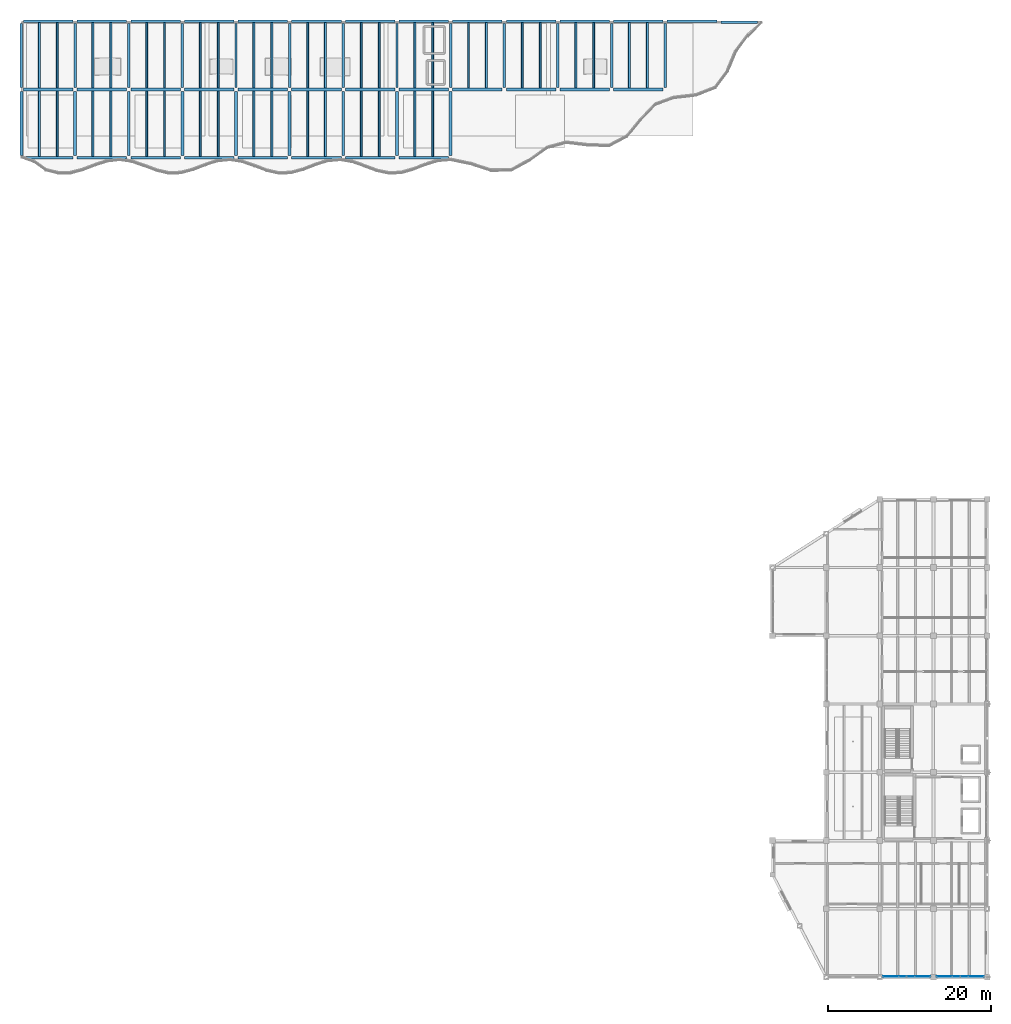
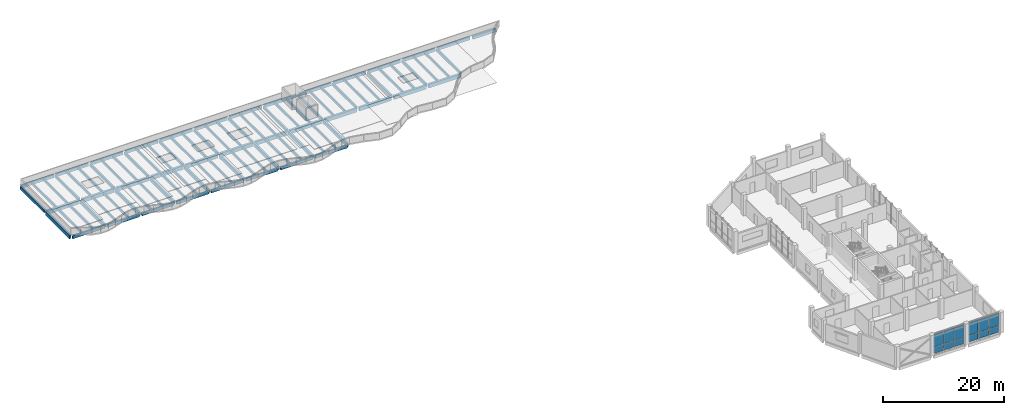
# One storey, part 6 of 19: 96 beams, 12 plates, 2 elements without a shape of their own.
"""IFC4 building model written with IfcOpenShell, lengths in metres."""

from ifc_helpers import new_model, si_unit, direction, frame, origin, origin_2d, place, context, subcontext, project, spatial, rectangle, extrude, material, layer, layer_set, material_profile, profile_set, type_object, element, aggregate, save


model = new_model("IFC4")

# Units and contexts
model_context = context("Model", 3, precision=1e-05, world=origin(), true_north=direction((0.0, 1.0)))
body_context = subcontext(model_context, "Body", "Model", "MODEL_VIEW")
ifc_project = project(units=[si_unit("LENGTHUNIT", "METRE"), si_unit("AREAUNIT", "SQUARE_METRE"), si_unit("VOLUMEUNIT", "CUBIC_METRE"), si_unit("PLANEANGLEUNIT", "RADIAN"), si_unit("MASSUNIT", "GRAM", prefix="KILO")], contexts=[model_context])

# Site, building, storey
site_placement = place(None, origin())
site = spatial("IfcSite", under=ifc_project, at=site_placement, CompositionType="ELEMENT")
building_placement = place(site_placement, origin())
building = spatial("IfcBuilding", under=site, at=building_placement, Name="Qaldarim Faculty of Natural and Applied Sciences", CompositionType="ELEMENT")
storey_placement = place(building_placement, frame((0.0, 0.0, 27.0)))
storey = spatial("IfcBuildingStorey", under=building, at=storey_placement, Name="L06", CompositionType="ELEMENT", Elevation=27.0)

# Beams
ifc_material_1 = material(Name="Concrete C40/50", Category="concrete")
ifc_material_profile_1 = material_profile(ifc_material_1, rectangle(XDim=0.300048828125, YDim=0.550048828125, at=origin_2d()), Name="RC-B300x550")
ifc_profile_set_1 = profile_set([ifc_material_profile_1], Name="Concrete C40/50")
beam_type_1 = type_object("IfcBeamType", Name="FloorBeam-RC300x550", PredefinedType="BEAM", material=ifc_profile_set_1)
for number, where, z_axis, x_axis, name in (
    (1, (59.39990234375, 109.449951171875, -0.514892578125), (0.0, 1.0, 0.0), (-1.0, 0.0, 0.0), "Beam RC-B300x550 L05 X10/Y14-Y15"),
    (2, (66.0, 109.449951171875, -0.514892578125), (0.0, 1.0, 0.0), (-1.0, 0.0, 0.0), "Beam RC-B300x550 L05 X11/Y14-Y15"),
    (3, (72.60009765625, 109.449951171875, -0.514892578125), (0.0, 1.0, 0.0), (-1.0, 0.0, 0.0), "Beam RC-B300x550 L05 X12/Y14-Y15"),
    (4, (79.199951171875, 109.449951171875, -0.514892578125), (0.0, 1.0, 0.0), (-1.0, 0.0, 0.0), "Beam RC-B300x550 L05 X13/Y14-Y15"),
    (5, (85.800048828125, 109.449951171875, -0.514892578125), (0.0, 1.0, 0.0), (-1.0, 0.0, 0.0), "Beam RC-B300x550 L05 X14/Y14-Y15"),
    (6, (92.39990234375, 109.449951171875, -0.514892578125), (0.0, 1.0, 0.0), (-1.0, 0.0, 0.0), "Beam RC-B300x550 L05 X15/Y14-Y15"),
    (7, (99.0, 109.449951171875, -0.514892578125), (0.0, 1.0, 0.0), (-1.0, 0.0, 0.0), "Beam RC-B300x550 L05 X16/Y14-Y15"),
    (8, (105.60009765625, 109.449951171875, -0.514892578125), (0.0, 1.0, 0.0), (-1.0, 0.0, 0.0), "Beam RC-B300x550 L05 X17/Y14-Y15"),
    (9, (112.199951171875, 109.449951171875, -0.514892578125), (0.0, 1.0, 0.0), (-1.0, 0.0, 0.0), "Beam RC-B300x550 L05 X18/Y14-Y15"),
    (10, (118.800048828125, 109.449951171875, -0.514892578125), (0.0, 1.0, 0.0), (-1.0, 0.0, 0.0), "Beam RC-B300x550 L05 X19/Y14-Y15"),
    (11, (125.39990234375, 109.449951171875, -0.514892578125), (0.0, 1.0, 0.0), (-1.0, 0.0, 0.0), "Beam RC-B300x550 L05 X20/Y14-Y15"),
    (12, (132.0, 109.449951171875, -0.514892578125), (0.0, 1.0, 0.0), (-1.0, 0.0, 0.0), "Beam RC-B300x550 L05 X21/Y14-Y15"),
    (13, (138.60009765625, 109.449951171875, -0.514892578125), (0.0, 1.0, 0.0), (-1.0, 0.0, 0.0), "Beam RC-B300x550 L05 X22/Y14-Y15"),
):
    element("IfcBeam", number, at=place(storey_placement, frame(where, z_axis=z_axis, x_axis=x_axis)), inside=storey, type_object=beam_type_1, Name=name, PredefinedType="BEAM", context=body_context, shape_type="SweptSolid", body=[
        extrude(rectangle(XDim=0.300048828125, YDim=0.550048828125, at=origin_2d()), origin(), (0.0, 0.0, 1.0), 7.900146484375),
    ])
ifc_material_profile_2 = material_profile(ifc_material_1, rectangle(XDim=0.239990234375, YDim=0.5, at=origin_2d()), Name="RC-J240x500")
ifc_profile_set_2 = profile_set([ifc_material_profile_2], Name="Concrete C40/50")
beam_type_2 = type_object("IfcBeamType", Name="HeavyJoist-RC240x500", PredefinedType="JOIST", material=ifc_profile_set_2)
for number, where, z_axis, x_axis, name in (
    (14, (61.60009765625, 100.949951171875, -0.489990234375), (0.0, 1.0, 0.0), (-1.0, 0.0, 0.0), "Laboratory joist L05 bay X10Y13-1"),
    (15, (63.800048828125, 100.949951171875, -0.489990234375), (0.0, 1.0, 0.0), (-1.0, 0.0, 0.0), "Laboratory joist L05 bay X10Y13-2"),
    (16, (61.60009765625, 109.39990234375, -0.489990234375), (0.0, 1.0, 0.0), (-1.0, 0.0, 0.0), "Laboratory joist L05 bay X10Y14-1"),
    (17, (63.800048828125, 109.39990234375, -0.489990234375), (0.0, 1.0, 0.0), (-1.0, 0.0, 0.0), "Laboratory joist L05 bay X10Y14-2"),
    (18, (68.199951171875, 100.949951171875, -0.489990234375), (0.0, 1.0, 0.0), (-1.0, 0.0, 0.0), "Laboratory joist L05 bay X11Y13-1"),
    (19, (70.39990234375, 100.949951171875, -0.489990234375), (0.0, 1.0, 0.0), (-1.0, 0.0, 0.0), "Laboratory joist L05 bay X11Y13-2"),
    (20, (68.199951171875, 109.39990234375, -0.489990234375), (0.0, 1.0, 0.0), (-1.0, 0.0, 0.0), "Laboratory joist L05 bay X11Y14-1"),
    (21, (70.39990234375, 109.39990234375, -0.489990234375), (0.0, 1.0, 0.0), (-1.0, 0.0, 0.0), "Laboratory joist L05 bay X11Y14-2"),
    (22, (74.800048828125, 100.949951171875, -0.489990234375), (0.0, 1.0, 0.0), (-1.0, 0.0, 0.0), "Laboratory joist L05 bay X12Y13-1"),
    (23, (77.0, 100.949951171875, -0.489990234375), (0.0, 1.0, 0.0), (-1.0, 0.0, 0.0), "Laboratory joist L05 bay X12Y13-2"),
    (24, (74.800048828125, 109.39990234375, -0.489990234375), (0.0, 1.0, 0.0), (-1.0, 0.0, 0.0), "Laboratory joist L05 bay X12Y14-1"),
    (25, (77.0, 109.39990234375, -0.489990234375), (0.0, 1.0, 0.0), (-1.0, 0.0, 0.0), "Laboratory joist L05 bay X12Y14-2"),
    (26, (81.39990234375, 100.949951171875, -0.489990234375), (0.0, 1.0, 0.0), (-1.0, 0.0, 0.0), "Laboratory joist L05 bay X13Y13-1"),
    (27, (83.60009765625, 100.949951171875, -0.489990234375), (0.0, 1.0, 0.0), (-1.0, 0.0, 0.0), "Laboratory joist L05 bay X13Y13-2"),
    (28, (81.39990234375, 109.39990234375, -0.489990234375), (0.0, 1.0, 0.0), (-1.0, 0.0, 0.0), "Laboratory joist L05 bay X13Y14-1"),
    (29, (83.60009765625, 109.39990234375, -0.489990234375), (0.0, 1.0, 0.0), (-1.0, 0.0, 0.0), "Laboratory joist L05 bay X13Y14-2"),
    (30, (88.0, 100.949951171875, -0.489990234375), (0.0, 1.0, 0.0), (-1.0, 0.0, 0.0), "Laboratory joist L05 bay X14Y13-1"),
    (31, (90.199951171875, 100.949951171875, -0.489990234375), (0.0, 1.0, 0.0), (-1.0, 0.0, 0.0), "Laboratory joist L05 bay X14Y13-2"),
    (32, (88.0, 109.39990234375, -0.489990234375), (0.0, 1.0, 0.0), (-1.0, 0.0, 0.0), "Laboratory joist L05 bay X14Y14-1"),
    (33, (90.199951171875, 109.39990234375, -0.489990234375), (0.0, 1.0, 0.0), (-1.0, 0.0, 0.0), "Laboratory joist L05 bay X14Y14-2"),
    (34, (94.60009765625, 100.949951171875, -0.489990234375), (0.0, 1.0, 0.0), (-1.0, 0.0, 0.0), "Laboratory joist L05 bay X15Y13-1"),
    (35, (96.800048828125, 100.949951171875, -0.489990234375), (0.0, 1.0, 0.0), (-1.0, 0.0, 0.0), "Laboratory joist L05 bay X15Y13-2"),
    (36, (94.60009765625, 109.39990234375, -0.489990234375), (0.0, 1.0, 0.0), (-1.0, 0.0, 0.0), "Laboratory joist L05 bay X15Y14-1"),
    (37, (96.800048828125, 109.39990234375, -0.489990234375), (0.0, 1.0, 0.0), (-1.0, 0.0, 0.0), "Laboratory joist L05 bay X15Y14-2"),
    (38, (101.199951171875, 100.949951171875, -0.489990234375), (0.0, 1.0, 0.0), (-1.0, 0.0, 0.0), "Laboratory joist L05 bay X16Y13-1"),
    (39, (103.39990234375, 100.949951171875, -0.489990234375), (0.0, 1.0, 0.0), (-1.0, 0.0, 0.0), "Laboratory joist L05 bay X16Y13-2"),
    (40, (101.199951171875, 109.39990234375, -0.489990234375), (0.0, 1.0, 0.0), (-1.0, 0.0, 0.0), "Laboratory joist L05 bay X16Y14-1"),
    (41, (103.39990234375, 109.39990234375, -0.489990234375), (0.0, 1.0, 0.0), (-1.0, 0.0, 0.0), "Laboratory joist L05 bay X16Y14-2"),
    (42, (107.800048828125, 100.949951171875, -0.489990234375), (0.0, 1.0, 0.0), (-1.0, 0.0, 0.0), "Laboratory joist L05 bay X17Y13-1"),
    (43, (110.0, 100.949951171875, -0.489990234375), (0.0, 1.0, 0.0), (-1.0, 0.0, 0.0), "Laboratory joist L05 bay X17Y13-2"),
    (44, (107.800048828125, 109.39990234375, -0.489990234375), (0.0, 1.0, 0.0), (-1.0, 0.0, 0.0), "Laboratory joist L05 bay X17Y14-1"),
    (45, (110.0, 109.39990234375, -0.489990234375), (0.0, 1.0, 0.0), (-1.0, 0.0, 0.0), "Laboratory joist L05 bay X17Y14-2"),
    (46, (114.39990234375, 109.39990234375, -0.489990234375), (0.0, 1.0, 0.0), (-1.0, 0.0, 0.0), "Laboratory joist L05 bay X18Y14-1"),
    (47, (116.60009765625, 109.39990234375, -0.489990234375), (0.0, 1.0, 0.0), (-1.0, 0.0, 0.0), "Laboratory joist L05 bay X18Y14-2"),
    (48, (121.0, 109.39990234375, -0.489990234375), (0.0, 1.0, 0.0), (-1.0, 0.0, 0.0), "Laboratory joist L05 bay X19Y14-1"),
    (49, (123.199951171875, 109.39990234375, -0.489990234375), (0.0, 1.0, 0.0), (-1.0, 0.0, 0.0), "Laboratory joist L05 bay X19Y14-2"),
    (50, (127.60009765625, 109.39990234375, -0.489990234375), (0.0, 1.0, 0.0), (-1.0, 0.0, 0.0), "Laboratory joist L05 bay X20Y14-1"),
    (51, (129.800048828125, 109.39990234375, -0.489990234375), (0.0, 1.0, 0.0), (-1.0, 0.0, 0.0), "Laboratory joist L05 bay X20Y14-2"),
    (52, (134.199951171875, 109.39990234375, -0.489990234375), (0.0, 1.0, 0.0), (-1.0, 0.0, 0.0), "Laboratory joist L05 bay X21Y14-1"),
    (53, (136.39990234375, 109.39990234375, -0.489990234375), (0.0, 1.0, 0.0), (-1.0, 0.0, 0.0), "Laboratory joist L05 bay X21Y14-2"),
):
    element("IfcBeam", number, at=place(storey_placement, frame(where, z_axis=z_axis, x_axis=x_axis)), inside=storey, type_object=beam_type_2, Name=name, PredefinedType="JOIST", context=body_context, shape_type="SweptSolid", body=[
        extrude(rectangle(XDim=0.239990234375, YDim=0.5, at=origin_2d()), origin(), (0.0, 0.0, 1.0), 8.050048828125),
    ])
ifc_material_2 = material(Name="Concrete C50/60", Category="concrete")
ifc_material_profile_3 = material_profile(ifc_material_2, rectangle(XDim=0.39990234375, YDim=0.75, at=origin_2d()), Name="RC-B400x750")
ifc_profile_set_3 = profile_set([ifc_material_profile_3], Name="Concrete C50/60")
beam_type_3 = type_object("IfcBeamType", Name="LabGirder-RC400x750", PredefinedType="BEAM", material=ifc_profile_set_3)
for number, where, z_axis, x_axis, name in (
    (54, (59.64990234375, 109.199951171875, -0.614990234375), (1.0, 0.0, 0.0), (0.0, 1.0, 0.0), "Beam RC-B400x750 L05 X10-X11/Y14"),
    (55, (66.25, 109.199951171875, -0.614990234375), (1.0, 0.0, 0.0), (0.0, 1.0, 0.0), "Beam RC-B400x750 L05 X11-X12/Y14"),
):
    element("IfcBeam", number, at=place(storey_placement, frame(where, z_axis=z_axis, x_axis=x_axis)), inside=storey, type_object=beam_type_3, Name=name, PredefinedType="BEAM", context=body_context, shape_type="SweptSolid", body=[
        extrude(rectangle(XDim=0.39990234375, YDim=0.75, at=origin_2d()), origin(), (0.0, 0.0, 1.0), 6.10009765625),
    ])
beam_1_placement = place(storey_placement, frame((72.85009765625, 109.199951171875, -0.614990234375), z_axis=(1.0, 0.0, 0.0), x_axis=(0.0, 1.0, 0.0)))
element("IfcBeam", 56, at=beam_1_placement, inside=storey, type_object=beam_type_3, Name="Beam RC-B400x750 L05 X12-X13/Y14", PredefinedType="BEAM", context=body_context, shape_type="SweptSolid", body=[
    extrude(rectangle(XDim=0.39990234375, YDim=0.75, at=origin_2d()), origin(), (0.0, 0.0, 1.0), 6.099853515625),
])
beam_2_placement = place(storey_placement, frame((79.449951171875, 109.199951171875, -0.614990234375), z_axis=(1.0, 0.0, 0.0), x_axis=(0.0, 1.0, 0.0)))
element("IfcBeam", 57, at=beam_2_placement, inside=storey, type_object=beam_type_3, Name="Beam RC-B400x750 L05 X13-X14/Y14", PredefinedType="BEAM", context=body_context, shape_type="SweptSolid", body=[
    extrude(rectangle(XDim=0.39990234375, YDim=0.75, at=origin_2d()), origin(), (0.0, 0.0, 1.0), 6.10009765625),
])
beam_3_placement = place(storey_placement, frame((86.050048828125, 109.199951171875, -0.614990234375), z_axis=(1.0, 0.0, 0.0), x_axis=(0.0, 1.0, 0.0)))
element("IfcBeam", 58, at=beam_3_placement, inside=storey, type_object=beam_type_3, Name="Beam RC-B400x750 L05 X14-X15/Y14", PredefinedType="BEAM", context=body_context, shape_type="SweptSolid", body=[
    extrude(rectangle(XDim=0.39990234375, YDim=0.75, at=origin_2d()), origin(), (0.0, 0.0, 1.0), 6.099853515625),
])
for number, where, z_axis, x_axis, name in (
    (59, (92.64990234375, 109.199951171875, -0.614990234375), (1.0, 0.0, 0.0), (0.0, 1.0, 0.0), "Beam RC-B400x750 L05 X15-X16/Y14"),
    (60, (99.25, 109.199951171875, -0.614990234375), (1.0, 0.0, 0.0), (0.0, 1.0, 0.0), "Beam RC-B400x750 L05 X16-X17/Y14"),
):
    element("IfcBeam", number, at=place(storey_placement, frame(where, z_axis=z_axis, x_axis=x_axis)), inside=storey, type_object=beam_type_3, Name=name, PredefinedType="BEAM", context=body_context, shape_type="SweptSolid", body=[
        extrude(rectangle(XDim=0.39990234375, YDim=0.75, at=origin_2d()), origin(), (0.0, 0.0, 1.0), 6.10009765625),
    ])
beam_4_placement = place(storey_placement, frame((105.85009765625, 109.199951171875, -0.614990234375), z_axis=(1.0, 0.0, 0.0), x_axis=(0.0, 1.0, 0.0)))
element("IfcBeam", 61, at=beam_4_placement, inside=storey, type_object=beam_type_3, Name="Beam RC-B400x750 L05 X17-X18/Y14", PredefinedType="BEAM", context=body_context, shape_type="SweptSolid", body=[
    extrude(rectangle(XDim=0.39990234375, YDim=0.75, at=origin_2d()), origin(), (0.0, 0.0, 1.0), 6.099853515625),
])
beam_5_placement = place(storey_placement, frame((112.449951171875, 109.199951171875, -0.614990234375), z_axis=(1.0, 0.0, 0.0), x_axis=(0.0, 1.0, 0.0)))
element("IfcBeam", 62, at=beam_5_placement, inside=storey, type_object=beam_type_3, Name="Beam RC-B400x750 L05 X18-X19/Y14", PredefinedType="BEAM", context=body_context, shape_type="SweptSolid", body=[
    extrude(rectangle(XDim=0.39990234375, YDim=0.75, at=origin_2d()), origin(), (0.0, 0.0, 1.0), 6.10009765625),
])
beam_6_placement = place(storey_placement, frame((119.050048828125, 109.199951171875, -0.614990234375), z_axis=(1.0, 0.0, 0.0), x_axis=(0.0, 1.0, 0.0)))
element("IfcBeam", 63, at=beam_6_placement, inside=storey, type_object=beam_type_3, Name="Beam RC-B400x750 L05 X19-X20/Y14", PredefinedType="BEAM", context=body_context, shape_type="SweptSolid", body=[
    extrude(rectangle(XDim=0.39990234375, YDim=0.75, at=origin_2d()), origin(), (0.0, 0.0, 1.0), 6.099853515625),
])
for number, where, z_axis, x_axis, name in (
    (64, (125.64990234375, 109.199951171875, -0.614990234375), (1.0, 0.0, 0.0), (0.0, 1.0, 0.0), "Beam RC-B400x750 L05 X20-X21/Y14"),
    (65, (132.25, 109.199951171875, -0.614990234375), (1.0, 0.0, 0.0), (0.0, 1.0, 0.0), "Beam RC-B400x750 L05 X21-X22/Y14"),
):
    element("IfcBeam", number, at=place(storey_placement, frame(where, z_axis=z_axis, x_axis=x_axis)), inside=storey, type_object=beam_type_3, Name=name, PredefinedType="BEAM", context=body_context, shape_type="SweptSolid", body=[
        extrude(rectangle(XDim=0.39990234375, YDim=0.75, at=origin_2d()), origin(), (0.0, 0.0, 1.0), 6.10009765625),
    ])
ifc_material_profile_4 = material_profile(ifc_material_1, rectangle(XDim=0.35009765625, YDim=0.699951171875, at=origin_2d()), Name="RC-B350x700")
ifc_profile_set_4 = profile_set([ifc_material_profile_4], Name="Concrete C40/50")
beam_type_4 = type_object("IfcBeamType", Name="PrimaryGirder-RC350x700", PredefinedType="BEAM", material=ifc_profile_set_4)
for number, where, z_axis, x_axis, name in (
    (66, (59.39990234375, 101.050048828125, -0.590087890625), (0.0, 1.0, 0.0), (-1.0, 0.0, 0.0), "Beam RC-B350x700 L05 X10/Y13-Y14"),
    (67, (66.0, 101.050048828125, -0.590087890625), (0.0, 1.0, 0.0), (-1.0, 0.0, 0.0), "Beam RC-B350x700 L05 X11/Y13-Y14"),
    (68, (72.60009765625, 101.050048828125, -0.590087890625), (0.0, 1.0, 0.0), (-1.0, 0.0, 0.0), "Beam RC-B350x700 L05 X12/Y13-Y14"),
    (69, (79.199951171875, 101.050048828125, -0.590087890625), (0.0, 1.0, 0.0), (-1.0, 0.0, 0.0), "Beam RC-B350x700 L05 X13/Y13-Y14"),
    (70, (85.800048828125, 101.050048828125, -0.590087890625), (0.0, 1.0, 0.0), (-1.0, 0.0, 0.0), "Beam RC-B350x700 L05 X14/Y13-Y14"),
    (71, (92.39990234375, 101.050048828125, -0.590087890625), (0.0, 1.0, 0.0), (-1.0, 0.0, 0.0), "Beam RC-B350x700 L05 X15/Y13-Y14"),
    (72, (99.0, 101.050048828125, -0.590087890625), (0.0, 1.0, 0.0), (-1.0, 0.0, 0.0), "Beam RC-B350x700 L05 X16/Y13-Y14"),
    (73, (105.60009765625, 101.050048828125, -0.590087890625), (0.0, 1.0, 0.0), (-1.0, 0.0, 0.0), "Beam RC-B350x700 L05 X17/Y13-Y14"),
    (74, (112.199951171875, 101.050048828125, -0.590087890625), (0.0, 1.0, 0.0), (-1.0, 0.0, 0.0), "Beam RC-B350x700 L05 X18/Y13-Y14"),
):
    element("IfcBeam", number, at=place(storey_placement, frame(where, z_axis=z_axis, x_axis=x_axis)), inside=storey, type_object=beam_type_4, Name=name, PredefinedType="BEAM", context=body_context, shape_type="SweptSolid", body=[
        extrude(rectangle(XDim=0.35009765625, YDim=0.699951171875, at=origin_2d()), origin(), (0.0, 0.0, 1.0), 7.89990234375),
    ])
ifc_material_3 = material(Name="Precast concrete C40/50", Category="concrete")
ifc_material_profile_5 = material_profile(ifc_material_3, rectangle(XDim=0.300048828125, YDim=0.60009765625, at=origin_2d()), Name="RC-SP300x600")
ifc_profile_set_5 = profile_set([ifc_material_profile_5], Name="Precast concrete C40/50")
beam_type_5 = type_object("IfcBeamType", Name="SpandrelBeam-RC300x600", PredefinedType="SPANDREL", material=ifc_profile_set_5)
for number, where, z_axis, x_axis, name in (
    (75, (59.64990234375, 100.800048828125, -0.5400390625), (1.0, 0.0, 0.0), (0.0, 1.0, 0.0), "Beam RC-SP300x600 L05 X10-X11/Y13"),
    (76, (66.25, 100.800048828125, -0.5400390625), (1.0, 0.0, 0.0), (0.0, 1.0, 0.0), "Beam RC-SP300x600 L05 X11-X12/Y13"),
):
    element("IfcBeam", number, at=place(storey_placement, frame(where, z_axis=z_axis, x_axis=x_axis)), inside=storey, type_object=beam_type_5, Name=name, PredefinedType="SPANDREL", context=body_context, shape_type="SweptSolid", body=[
        extrude(rectangle(XDim=0.300048828125, YDim=0.60009765625, at=origin_2d()), origin(), (0.0, 0.0, 1.0), 6.10009765625),
    ])
beam_7_placement = place(storey_placement, frame((72.85009765625, 100.800048828125, -0.5400390625), z_axis=(1.0, 0.0, 0.0), x_axis=(0.0, 1.0, 0.0)))
element("IfcBeam", 77, at=beam_7_placement, inside=storey, type_object=beam_type_5, Name="Beam RC-SP300x600 L05 X12-X13/Y13", PredefinedType="SPANDREL", context=body_context, shape_type="SweptSolid", body=[
    extrude(rectangle(XDim=0.300048828125, YDim=0.60009765625, at=origin_2d()), origin(), (0.0, 0.0, 1.0), 6.099853515625),
])
beam_8_placement = place(storey_placement, frame((79.449951171875, 100.800048828125, -0.5400390625), z_axis=(1.0, 0.0, 0.0), x_axis=(0.0, 1.0, 0.0)))
element("IfcBeam", 78, at=beam_8_placement, inside=storey, type_object=beam_type_5, Name="Beam RC-SP300x600 L05 X13-X14/Y13", PredefinedType="SPANDREL", context=body_context, shape_type="SweptSolid", body=[
    extrude(rectangle(XDim=0.300048828125, YDim=0.60009765625, at=origin_2d()), origin(), (0.0, 0.0, 1.0), 6.10009765625),
])
beam_9_placement = place(storey_placement, frame((86.050048828125, 100.800048828125, -0.5400390625), z_axis=(1.0, 0.0, 0.0), x_axis=(0.0, 1.0, 0.0)))
element("IfcBeam", 79, at=beam_9_placement, inside=storey, type_object=beam_type_5, Name="Beam RC-SP300x600 L05 X14-X15/Y13", PredefinedType="SPANDREL", context=body_context, shape_type="SweptSolid", body=[
    extrude(rectangle(XDim=0.300048828125, YDim=0.60009765625, at=origin_2d()), origin(), (0.0, 0.0, 1.0), 6.099853515625),
])
for number, where, z_axis, x_axis, name in (
    (80, (92.64990234375, 100.800048828125, -0.5400390625), (1.0, 0.0, 0.0), (0.0, 1.0, 0.0), "Beam RC-SP300x600 L05 X15-X16/Y13"),
    (81, (99.25, 100.800048828125, -0.5400390625), (1.0, 0.0, 0.0), (0.0, 1.0, 0.0), "Beam RC-SP300x600 L05 X16-X17/Y13"),
):
    element("IfcBeam", number, at=place(storey_placement, frame(where, z_axis=z_axis, x_axis=x_axis)), inside=storey, type_object=beam_type_5, Name=name, PredefinedType="SPANDREL", context=body_context, shape_type="SweptSolid", body=[
        extrude(rectangle(XDim=0.300048828125, YDim=0.60009765625, at=origin_2d()), origin(), (0.0, 0.0, 1.0), 6.10009765625),
    ])
beam_10_placement = place(storey_placement, frame((105.85009765625, 100.800048828125, -0.5400390625), z_axis=(1.0, 0.0, 0.0), x_axis=(0.0, 1.0, 0.0)))
element("IfcBeam", 82, at=beam_10_placement, inside=storey, type_object=beam_type_5, Name="Beam RC-SP300x600 L05 X17-X18/Y13", PredefinedType="SPANDREL", context=body_context, shape_type="SweptSolid", body=[
    extrude(rectangle(XDim=0.300048828125, YDim=0.60009765625, at=origin_2d()), origin(), (0.0, 0.0, 1.0), 6.099853515625),
])
for number, where, z_axis, x_axis, name in (
    (83, (59.64990234375, 117.60009765625, -0.5400390625), (1.0, 0.0, 0.0), (0.0, 1.0, 0.0), "Beam RC-SP300x600 L05 X10-X11/Y15"),
    (84, (66.25, 117.60009765625, -0.5400390625), (1.0, 0.0, 0.0), (0.0, 1.0, 0.0), "Beam RC-SP300x600 L05 X11-X12/Y15"),
):
    element("IfcBeam", number, at=place(storey_placement, frame(where, z_axis=z_axis, x_axis=x_axis)), inside=storey, type_object=beam_type_5, Name=name, PredefinedType="SPANDREL", context=body_context, shape_type="SweptSolid", body=[
        extrude(rectangle(XDim=0.300048828125, YDim=0.60009765625, at=origin_2d()), origin(), (0.0, 0.0, 1.0), 6.10009765625),
    ])
beam_11_placement = place(storey_placement, frame((72.85009765625, 117.60009765625, -0.5400390625), z_axis=(1.0, 0.0, 0.0), x_axis=(0.0, 1.0, 0.0)))
element("IfcBeam", 85, at=beam_11_placement, inside=storey, type_object=beam_type_5, Name="Beam RC-SP300x600 L05 X12-X13/Y15", PredefinedType="SPANDREL", context=body_context, shape_type="SweptSolid", body=[
    extrude(rectangle(XDim=0.300048828125, YDim=0.60009765625, at=origin_2d()), origin(), (0.0, 0.0, 1.0), 6.099853515625),
])
beam_12_placement = place(storey_placement, frame((79.449951171875, 117.60009765625, -0.5400390625), z_axis=(1.0, 0.0, 0.0), x_axis=(0.0, 1.0, 0.0)))
element("IfcBeam", 86, at=beam_12_placement, inside=storey, type_object=beam_type_5, Name="Beam RC-SP300x600 L05 X13-X14/Y15", PredefinedType="SPANDREL", context=body_context, shape_type="SweptSolid", body=[
    extrude(rectangle(XDim=0.300048828125, YDim=0.60009765625, at=origin_2d()), origin(), (0.0, 0.0, 1.0), 6.10009765625),
])
beam_13_placement = place(storey_placement, frame((86.050048828125, 117.60009765625, -0.5400390625), z_axis=(1.0, 0.0, 0.0), x_axis=(0.0, 1.0, 0.0)))
element("IfcBeam", 87, at=beam_13_placement, inside=storey, type_object=beam_type_5, Name="Beam RC-SP300x600 L05 X14-X15/Y15", PredefinedType="SPANDREL", context=body_context, shape_type="SweptSolid", body=[
    extrude(rectangle(XDim=0.300048828125, YDim=0.60009765625, at=origin_2d()), origin(), (0.0, 0.0, 1.0), 6.099853515625),
])
for number, where, z_axis, x_axis, name in (
    (88, (92.64990234375, 117.60009765625, -0.5400390625), (1.0, 0.0, 0.0), (0.0, 1.0, 0.0), "Beam RC-SP300x600 L05 X15-X16/Y15"),
    (89, (99.25, 117.60009765625, -0.5400390625), (1.0, 0.0, 0.0), (0.0, 1.0, 0.0), "Beam RC-SP300x600 L05 X16-X17/Y15"),
):
    element("IfcBeam", number, at=place(storey_placement, frame(where, z_axis=z_axis, x_axis=x_axis)), inside=storey, type_object=beam_type_5, Name=name, PredefinedType="SPANDREL", context=body_context, shape_type="SweptSolid", body=[
        extrude(rectangle(XDim=0.300048828125, YDim=0.60009765625, at=origin_2d()), origin(), (0.0, 0.0, 1.0), 6.10009765625),
    ])
beam_14_placement = place(storey_placement, frame((105.85009765625, 117.60009765625, -0.5400390625), z_axis=(1.0, 0.0, 0.0), x_axis=(0.0, 1.0, 0.0)))
element("IfcBeam", 90, at=beam_14_placement, inside=storey, type_object=beam_type_5, Name="Beam RC-SP300x600 L05 X17-X18/Y15", PredefinedType="SPANDREL", context=body_context, shape_type="SweptSolid", body=[
    extrude(rectangle(XDim=0.300048828125, YDim=0.60009765625, at=origin_2d()), origin(), (0.0, 0.0, 1.0), 6.099853515625),
])
beam_15_placement = place(storey_placement, frame((112.449951171875, 117.60009765625, -0.5400390625), z_axis=(1.0, 0.0, 0.0), x_axis=(0.0, 1.0, 0.0)))
element("IfcBeam", 91, at=beam_15_placement, inside=storey, type_object=beam_type_5, Name="Beam RC-SP300x600 L05 X18-X19/Y15", PredefinedType="SPANDREL", context=body_context, shape_type="SweptSolid", body=[
    extrude(rectangle(XDim=0.300048828125, YDim=0.60009765625, at=origin_2d()), origin(), (0.0, 0.0, 1.0), 6.10009765625),
])
beam_16_placement = place(storey_placement, frame((119.050048828125, 117.60009765625, -0.5400390625), z_axis=(1.0, 0.0, 0.0), x_axis=(0.0, 1.0, 0.0)))
element("IfcBeam", 92, at=beam_16_placement, inside=storey, type_object=beam_type_5, Name="Beam RC-SP300x600 L05 X19-X20/Y15", PredefinedType="SPANDREL", context=body_context, shape_type="SweptSolid", body=[
    extrude(rectangle(XDim=0.300048828125, YDim=0.60009765625, at=origin_2d()), origin(), (0.0, 0.0, 1.0), 6.099853515625),
])
for number, where, z_axis, x_axis, name in (
    (93, (125.64990234375, 117.60009765625, -0.5400390625), (1.0, 0.0, 0.0), (0.0, 1.0, 0.0), "Beam RC-SP300x600 L05 X20-X21/Y15"),
    (94, (132.25, 117.60009765625, -0.5400390625), (1.0, 0.0, 0.0), (0.0, 1.0, 0.0), "Beam RC-SP300x600 L05 X21-X22/Y15"),
):
    element("IfcBeam", number, at=place(storey_placement, frame(where, z_axis=z_axis, x_axis=x_axis)), inside=storey, type_object=beam_type_5, Name=name, PredefinedType="SPANDREL", context=body_context, shape_type="SweptSolid", body=[
        extrude(rectangle(XDim=0.300048828125, YDim=0.60009765625, at=origin_2d()), origin(), (0.0, 0.0, 1.0), 6.10009765625),
    ])
beam_17_placement = place(storey_placement, frame((138.85009765625, 117.60009765625, -0.5400390625), z_axis=(1.0, 0.0, 0.0), x_axis=(0.0, 1.0, 0.0)))
element("IfcBeam", 95, at=beam_17_placement, inside=storey, type_object=beam_type_5, Name="Beam RC-SP300x600 L05 X22-X23/Y15", PredefinedType="SPANDREL", context=body_context, shape_type="SweptSolid", body=[
    extrude(rectangle(XDim=0.300048828125, YDim=0.60009765625, at=origin_2d()), origin(), (0.0, 0.0, 1.0), 6.099853515625),
])
beam_18_placement = place(storey_placement, frame((145.449951171875, 117.449951171875, -0.5400390625), z_axis=(1.0, 0.0, 0.0), x_axis=(0.0, 1.0, 0.0)))
element("IfcBeam", 96, at=beam_18_placement, inside=storey, type_object=beam_type_5, Name="Laboratories NE corner perimeter beam L05", PredefinedType="SPANDREL", context=body_context, shape_type="SweptSolid", body=[
    extrude(rectangle(XDim=0.300048828125, YDim=0.60009765625, at=origin_2d()), origin(), (0.0, 0.0, 1.0), 4.47509765625),
])

# Curtain wall, plates
ifc_material_4 = material(Name="Anodised aluminium AW-6063", Category="aluminium")
curtain_wall_type = type_object("IfcCurtainWallType", Name="CurtainWallSystem-M1800", PredefinedType="USERDEFINED", material=ifc_material_4)
curtain_wall_1_placement = place(storey_placement, origin())
curtain_wall_1 = element("IfcCurtainWall", 97, at=curtain_wall_1_placement, inside=storey, type_object=curtain_wall_type, Name="Curtain wall CW-L06-S-X26Y01", ObjectType="UNITISED FACADE", PredefinedType="USERDEFINED")
ifc_material_5 = material(Name="Insulated low-e double glazing", Category="glass")
ifc_layer = layer(ifc_material_5, 0.028076171875)
ifc_layer_set = layer_set([ifc_layer], Name="Insulated low-e double glazing")
plate_type = type_object("IfcPlateType", Name="VisionGlazingPanel-28", PredefinedType="CURTAIN_PANEL", material=ifc_layer_set)
plate_1_placement = place(storey_placement, frame((166.344970703125, 0.080078125, 0.06005859375), z_axis=(0.0, 0.0, 1.0), x_axis=(1.0, 0.0, 0.0)))
plate_1 = element("IfcPlate", 98, at=plate_1_placement, type_object=plate_type, Name="Glazed panel 1-1 of CW-L06-S-X26Y01", PredefinedType="CURTAIN_PANEL", context=body_context, shape_type="SweptSolid", body=[
    extrude(rectangle(XDim=1.8798828125, YDim=0.028076171875, at=origin_2d()), origin(), (0.0, 0.0, 1.0), 1.260009765625),
])
plate_2_placement = place(storey_placement, frame((166.344970703125, 0.080078125, 1.3798828125), z_axis=(0.0, 0.0, 1.0), x_axis=(1.0, 0.0, 0.0)))
plate_2 = element("IfcPlate", 99, at=plate_2_placement, type_object=plate_type, Name="Glazed panel 1-2 of CW-L06-S-X26Y01", PredefinedType="CURTAIN_PANEL", context=body_context, shape_type="SweptSolid", body=[
    extrude(rectangle(XDim=1.8798828125, YDim=0.028076171875, at=origin_2d()), origin(), (0.0, 0.0, 1.0), 2.5400390625),
])
plate_3_placement = place(storey_placement, frame((168.300048828125, 0.080078125, 0.06005859375), z_axis=(0.0, 0.0, 1.0), x_axis=(1.0, 0.0, 0.0)))
plate_3 = element("IfcPlate", 100, at=plate_3_placement, type_object=plate_type, Name="Glazed panel 2-1 of CW-L06-S-X26Y01", PredefinedType="CURTAIN_PANEL", context=body_context, shape_type="SweptSolid", body=[
    extrude(rectangle(XDim=1.909912109375, YDim=0.028076171875, at=origin_2d()), origin(), (0.0, 0.0, 1.0), 1.260009765625),
])
plate_4_placement = place(storey_placement, frame((168.300048828125, 0.080078125, 1.3798828125), z_axis=(0.0, 0.0, 1.0), x_axis=(1.0, 0.0, 0.0)))
plate_4 = element("IfcPlate", 101, at=plate_4_placement, type_object=plate_type, Name="Glazed panel 2-2 of CW-L06-S-X26Y01", PredefinedType="CURTAIN_PANEL", context=body_context, shape_type="SweptSolid", body=[
    extrude(rectangle(XDim=1.909912109375, YDim=0.028076171875, at=origin_2d()), origin(), (0.0, 0.0, 1.0), 2.5400390625),
])
plate_5_placement = place(storey_placement, frame((170.2548828125, 0.080078125, 0.06005859375), z_axis=(0.0, 0.0, 1.0), x_axis=(1.0, 0.0, 0.0)))
plate_5 = element("IfcPlate", 102, at=plate_5_placement, type_object=plate_type, Name="Glazed panel 3-1 of CW-L06-S-X26Y01", PredefinedType="CURTAIN_PANEL", context=body_context, shape_type="SweptSolid", body=[
    extrude(rectangle(XDim=1.8798828125, YDim=0.028076171875, at=origin_2d()), origin(), (0.0, 0.0, 1.0), 1.260009765625),
])
plate_6_placement = place(storey_placement, frame((170.2548828125, 0.080078125, 1.3798828125), z_axis=(0.0, 0.0, 1.0), x_axis=(1.0, 0.0, 0.0)))
plate_6 = element("IfcPlate", 103, at=plate_6_placement, type_object=plate_type, Name="Glazed panel 3-2 of CW-L06-S-X26Y01", PredefinedType="CURTAIN_PANEL", context=body_context, shape_type="SweptSolid", body=[
    extrude(rectangle(XDim=1.8798828125, YDim=0.028076171875, at=origin_2d()), origin(), (0.0, 0.0, 1.0), 2.5400390625),
])
aggregate(curtain_wall_1, [plate_1, plate_2, plate_3, plate_4, plate_5, plate_6])

curtain_wall_2_placement = place(storey_placement, origin())
curtain_wall_2 = element("IfcCurtainWall", 104, at=curtain_wall_2_placement, inside=storey, type_object=curtain_wall_type, Name="Curtain wall CW-L06-S-X27Y01", ObjectType="UNITISED FACADE", PredefinedType="USERDEFINED")
plate_7_placement = place(storey_placement, frame((172.945068359375, 0.080078125, 0.06005859375), z_axis=(0.0, 0.0, 1.0), x_axis=(1.0, 0.0, 0.0)))
plate_7 = element("IfcPlate", 105, at=plate_7_placement, type_object=plate_type, Name="Glazed panel 1-1 of CW-L06-S-X27Y01", PredefinedType="CURTAIN_PANEL", context=body_context, shape_type="SweptSolid", body=[
    extrude(rectangle(XDim=1.8798828125, YDim=0.028076171875, at=origin_2d()), origin(), (0.0, 0.0, 1.0), 1.260009765625),
])
plate_8_placement = place(storey_placement, frame((172.945068359375, 0.080078125, 1.3798828125), z_axis=(0.0, 0.0, 1.0), x_axis=(1.0, 0.0, 0.0)))
plate_8 = element("IfcPlate", 106, at=plate_8_placement, type_object=plate_type, Name="Glazed panel 1-2 of CW-L06-S-X27Y01", PredefinedType="CURTAIN_PANEL", context=body_context, shape_type="SweptSolid", body=[
    extrude(rectangle(XDim=1.8798828125, YDim=0.028076171875, at=origin_2d()), origin(), (0.0, 0.0, 1.0), 2.5400390625),
])
plate_9_placement = place(storey_placement, frame((174.89990234375, 0.080078125, 0.06005859375), z_axis=(0.0, 0.0, 1.0), x_axis=(1.0, 0.0, 0.0)))
plate_9 = element("IfcPlate", 107, at=plate_9_placement, type_object=plate_type, Name="Glazed panel 2-1 of CW-L06-S-X27Y01", PredefinedType="CURTAIN_PANEL", context=body_context, shape_type="SweptSolid", body=[
    extrude(rectangle(XDim=1.909912109375, YDim=0.028076171875, at=origin_2d()), origin(), (0.0, 0.0, 1.0), 1.260009765625),
])
plate_10_placement = place(storey_placement, frame((174.89990234375, 0.080078125, 1.3798828125), z_axis=(0.0, 0.0, 1.0), x_axis=(1.0, 0.0, 0.0)))
plate_10 = element("IfcPlate", 108, at=plate_10_placement, type_object=plate_type, Name="Glazed panel 2-2 of CW-L06-S-X27Y01", PredefinedType="CURTAIN_PANEL", context=body_context, shape_type="SweptSolid", body=[
    extrude(rectangle(XDim=1.909912109375, YDim=0.028076171875, at=origin_2d()), origin(), (0.0, 0.0, 1.0), 2.5400390625),
])
plate_11_placement = place(storey_placement, frame((176.85498046875, 0.080078125, 0.06005859375), z_axis=(0.0, 0.0, 1.0), x_axis=(1.0, 0.0, 0.0)))
plate_11 = element("IfcPlate", 109, at=plate_11_placement, type_object=plate_type, Name="Glazed panel 3-1 of CW-L06-S-X27Y01", PredefinedType="CURTAIN_PANEL", context=body_context, shape_type="SweptSolid", body=[
    extrude(rectangle(XDim=1.8798828125, YDim=0.028076171875, at=origin_2d()), origin(), (0.0, 0.0, 1.0), 1.260009765625),
])
plate_12_placement = place(storey_placement, frame((176.85498046875, 0.080078125, 1.3798828125), z_axis=(0.0, 0.0, 1.0), x_axis=(1.0, 0.0, 0.0)))
plate_12 = element("IfcPlate", 110, at=plate_12_placement, type_object=plate_type, Name="Glazed panel 3-2 of CW-L06-S-X27Y01", PredefinedType="CURTAIN_PANEL", context=body_context, shape_type="SweptSolid", body=[
    extrude(rectangle(XDim=1.8798828125, YDim=0.028076171875, at=origin_2d()), origin(), (0.0, 0.0, 1.0), 2.5400390625),
])
aggregate(curtain_wall_2, [plate_7, plate_8, plate_9, plate_10, plate_11, plate_12])

save(model, "model.ifc")
